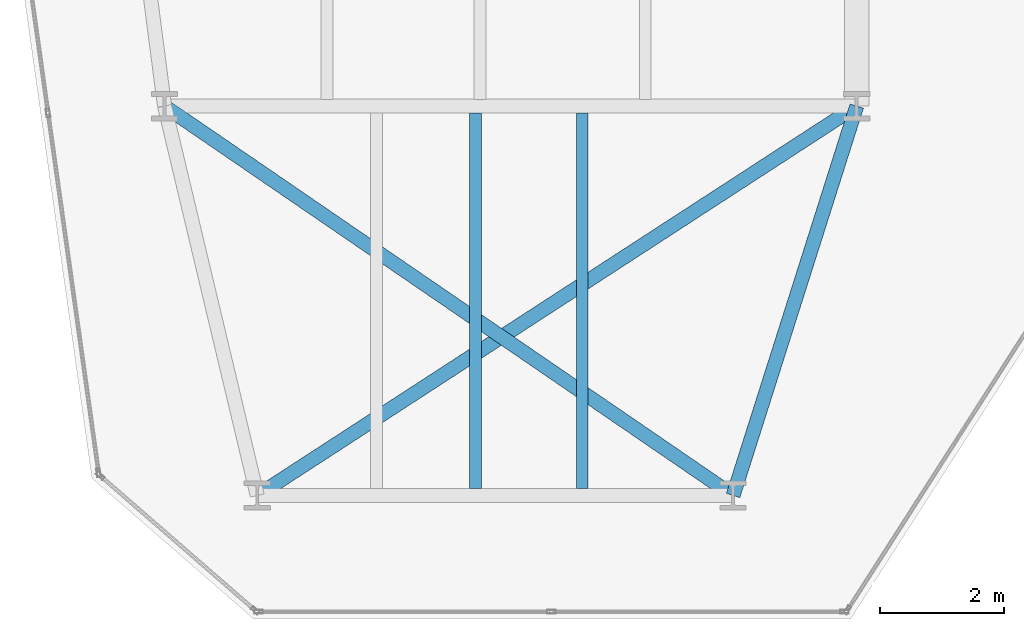
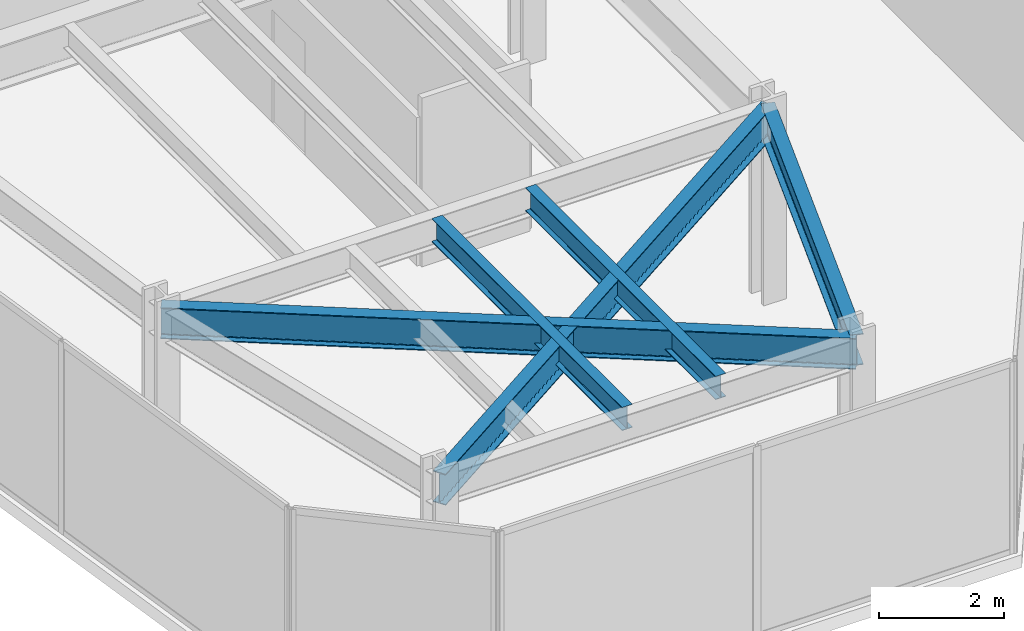
# One storey, part 4 of 26: 5 beams.
"""IFC4 building model written with IfcOpenShell, lengths in metres."""

from ifc_helpers import new_model, si_unit, direction, frame, origin, origin_2d, place, context, subcontext, project, spatial, i_section, extrude, material, material_profile, profile_set, type_object, element, save


model = new_model("IFC4")

# Units and contexts
model_context = context("Model", 3, precision=1e-05, world=origin(), true_north=direction((0.0, 1.0)))
body_context = subcontext(model_context, "Body", "Model", "MODEL_VIEW")
ifc_project = project(units=[si_unit("LENGTHUNIT", "METRE"), si_unit("AREAUNIT", "SQUARE_METRE"), si_unit("VOLUMEUNIT", "CUBIC_METRE"), si_unit("PLANEANGLEUNIT", "RADIAN"), si_unit("MASSUNIT", "GRAM", prefix="KILO")], contexts=[model_context])

# Site, building, storey
site_placement = place(None, origin())
site = spatial("IfcSite", under=ifc_project, at=site_placement, CompositionType="ELEMENT")
building_placement = place(site_placement, origin())
building = spatial("IfcBuilding", under=site, at=building_placement, Name="Kravanh Interchange Tower", CompositionType="ELEMENT")
storey_placement = place(building_placement, frame((0.0, 0.0, 112.0)))
storey = spatial("IfcBuildingStorey", under=building, at=storey_placement, Name="L26", CompositionType="ELEMENT", Elevation=112.0)

# Beams
ifc_material_1 = material(Name="Structural Steel S355", Category="steel")
ifc_material_profile_1 = material_profile(ifc_material_1, i_section(OverallWidth=0.18994140625, OverallDepth=0.45703125, WebThickness=0.009033203125, FlangeThickness=0.014404296875, FilletRadius=0.01806640625, at=origin_2d()), Name="W18X50")
ifc_profile_set_1 = profile_set([ifc_material_profile_1], Name="Structural Steel S355")
beam_type_1 = type_object("IfcBeamType", Name="Floor Joist W18X50 Structural Steel S355", PredefinedType="JOIST", material=ifc_profile_set_1)
for number, where, z_axis, x_axis, name in (
    (1, (21.030029296875, 8.30908203125, 3.521484375), (0.0, 1.0, 0.0), (-1.0, 0.0, 0.0), "L26 Secondary Floor Joist 2"),
    (2, (22.758056640625, 8.30908203125, 3.521484375), (0.0, 1.0, 0.0), (-1.0, 0.0, 0.0), "L26 Secondary Floor Joist 3"),
):
    element("IfcBeam", number, at=place(storey_placement, frame(where, z_axis=z_axis, x_axis=x_axis)), inside=storey, type_object=beam_type_1, Name=name, PredefinedType="JOIST", context=body_context, shape_type="SweptSolid", body=[
        extrude(i_section(OverallWidth=0.18994140625, OverallDepth=0.45703125, WebThickness=0.009033203125, FlangeThickness=0.014404296875, FilletRadius=0.01806640625, at=origin_2d()), origin(), (0.0, 0.0, 1.0), 6.08203125),
    ])
ifc_material_2 = material(Name="Structural Steel S355", Category="steel")
ifc_material_profile_2 = material_profile(ifc_material_2, i_section(OverallWidth=0.22802734375, OverallDepth=0.60791015625, WebThickness=0.01123046875, FlangeThickness=0.017333984375, FilletRadius=0.02197265625, at=origin_2d()), Name="W24X76")
ifc_profile_set_2 = profile_set([ifc_material_profile_2], Name="Structural Steel S355")
beam_type_2 = type_object("IfcBeamType", Name="Floor Spandrel W24X76 Structural Steel S355", PredefinedType="SPANDREL", material=ifc_profile_set_2)
beam_1_placement = place(storey_placement, frame((17.5, 8.199951171875, 3.446044921875), z_axis=(0.838637911458, 0.544689318295, 0.0), x_axis=(-0.544689318295, 0.838637911458, 0.0)))
element("IfcBeam", 3, at=beam_1_placement, inside=storey, type_object=beam_type_2, Name="L26 Perimeter Spandrel 36", PredefinedType="SPANDREL", context=body_context, shape_type="SweptSolid", body=[
    extrude(i_section(OverallWidth=0.22802734375, OverallDepth=0.60791015625, WebThickness=0.01123046875, FlangeThickness=0.017333984375, FilletRadius=0.02197265625, at=origin_2d()), origin(), (0.0, 0.0, 1.0), 11.56640625),
])
beam_2_placement = place(storey_placement, frame((25.199951171875, 8.199951171875, 3.446044921875), z_axis=(0.30257700201, 0.953124943465, 0.0), x_axis=(-0.953124943465, 0.30257700201, 0.0)))
element("IfcBeam", 4, at=beam_2_placement, inside=storey, type_object=beam_type_2, Name="L26 Perimeter Spandrel 76", PredefinedType="SPANDREL", context=body_context, shape_type="SweptSolid", body=[
    extrude(i_section(OverallWidth=0.22802734375, OverallDepth=0.60791015625, WebThickness=0.01123046875, FlangeThickness=0.017333984375, FilletRadius=0.02197265625, at=origin_2d()), origin(), (0.0, 0.0, 1.0), 6.60986328125),
])
beam_3_placement = place(storey_placement, frame((25.199951171875, 8.199951171875, 3.446044921875), z_axis=(-0.825083781107, 0.565010401811, 0.0), x_axis=(-0.565010401811, -0.825083781107, 0.0)))
element("IfcBeam", 5, at=beam_3_placement, inside=storey, type_object=beam_type_2, Name="L26 Perimeter Spandrel 77", PredefinedType="SPANDREL", context=body_context, shape_type="SweptSolid", body=[
    extrude(i_section(OverallWidth=0.22802734375, OverallDepth=0.60791015625, WebThickness=0.01123046875, FlangeThickness=0.017333984375, FilletRadius=0.02197265625, at=origin_2d()), origin(), (0.0, 0.0, 1.0), 11.150390625),
])

save(model, "model.ifc")
